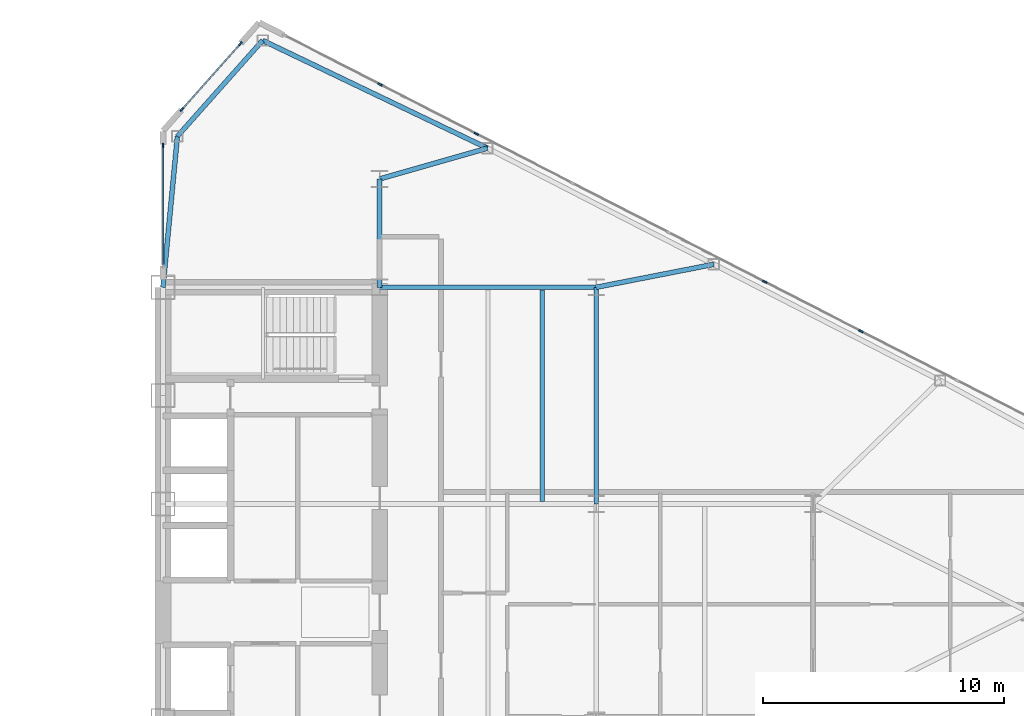
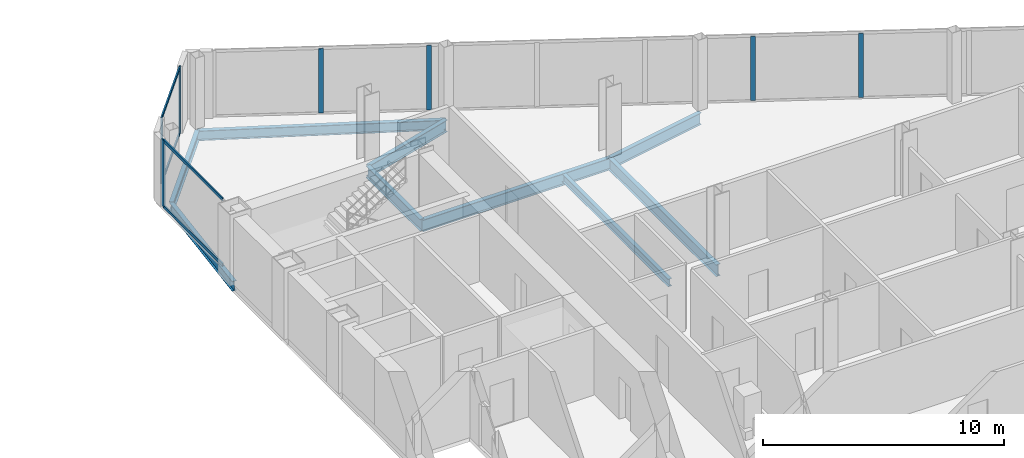
# One storey, part 11 of 23: 11 members, 9 beams, 3 elements without a shape of their own.
"""IFC4 building model written with IfcOpenShell, lengths in metres."""

from ifc_helpers import new_model, si_unit, direction, frame, origin, origin_2d, place, context, subcontext, project, spatial, rectangle, i_section, extrude, source, transform, mapped, material, layer, layer_set, material_profile, profile_set, type_object, type_shapes, element, aggregate, save


model = new_model("IFC4")

# Units and contexts
model_context = context("Model", 3, precision=1e-05, world=origin(), true_north=direction((0.0, 1.0)))
body_context = subcontext(model_context, "Body", "Model", "MODEL_VIEW")
ifc_project = project(units=[si_unit("LENGTHUNIT", "METRE"), si_unit("AREAUNIT", "SQUARE_METRE"), si_unit("VOLUMEUNIT", "CUBIC_METRE"), si_unit("PLANEANGLEUNIT", "RADIAN"), si_unit("MASSUNIT", "GRAM", prefix="KILO")], contexts=[model_context])

# Site, building, storey
site_placement = place(None, origin())
site = spatial("IfcSite", under=ifc_project, at=site_placement, CompositionType="ELEMENT")
building_placement = place(site_placement, origin())
building = spatial("IfcBuilding", under=site, at=building_placement, Name="Seokmaru Belvedere", CompositionType="ELEMENT")
storey_placement = place(building_placement, frame((0.0, 0.0, 128.39990234375)))
storey = spatial("IfcBuildingStorey", under=building, at=storey_placement, Name="L34", CompositionType="ELEMENT", Elevation=128.39990234375)

# Beams
ifc_material_1 = material(Name="Steel SM355 (355 MPa)", Category="steel")
ifc_material_profile_1 = material_profile(ifc_material_1, i_section(OverallWidth=0.199951171875, OverallDepth=0.60009765625, WebThickness=0.010986328125, FlangeThickness=0.01708984375, at=origin_2d()), Name="H-600x200x11x17")
ifc_profile_set_1 = profile_set([ifc_material_profile_1], Name="Steel SM355 (355 MPa)")
beam_type_1 = type_object("IfcBeamType", Name="Primary Floor Girder H-600", PredefinedType="BEAM", material=ifc_profile_set_1)
shared_shape_1 = source(origin(), body_context, "Body", "SweptSolid", [
    extrude(i_section(OverallWidth=0.199951171875, OverallDepth=0.60009765625, WebThickness=0.010986328125, FlangeThickness=0.01708984375, at=origin_2d()), origin(), (0.0, 0.0, 1.0), 9.0),
])
for number, where, z_axis, x_axis, name in (
    (1, (45.5, 4.5, -0.52001953125), (0.0, 1.0, 0.0), (-1.0, 0.0, 0.0), "L34 E Interior Grid Girder 3"),
    (2, (36.5, 13.5, -0.52001953125), (1.0, 0.0, 0.0), (0.0, 1.0, 0.0), "L34 E Wing Primary Girder 4"),
):
    element("IfcBeam", number, at=place(storey_placement, frame(where, z_axis=z_axis, x_axis=x_axis)), inside=storey, type_object=beam_type_1, Name=name, PredefinedType="BEAM", context=body_context, shape_type="MappedRepresentation", body=[
        mapped(shared_shape_1, transform((0.0, 0.0, 0.0), scale=1.0)),
    ])
ifc_material_profile_2 = material_profile(ifc_material_1, i_section(OverallWidth=0.18505859375, OverallDepth=0.389892578125, WebThickness=0.008056640625, FlangeThickness=0.011962890625, at=origin_2d()), Name="H-390x185x8x12")
ifc_profile_set_2 = profile_set([ifc_material_profile_2], Name="Steel SM355 (355 MPa)")
beam_type_2 = type_object("IfcBeamType", Name="Secondary Floor Joist H-350", PredefinedType="JOIST", material=ifc_profile_set_2)
shared_shape_2 = source(origin(), body_context, "Body", "SweptSolid", [
    extrude(i_section(OverallWidth=0.18505859375, OverallDepth=0.389892578125, WebThickness=0.008056640625, FlangeThickness=0.011962890625, at=origin_2d()), origin(), (0.0, 0.0, 1.0), 8.7900390625),
])
type_shapes(beam_type_2, [shared_shape_2])
beam_1_placement = place(storey_placement, frame((43.25, 4.60498046875, -0.414794921875), z_axis=(0.0, 1.0, 0.0), x_axis=(-1.0, 0.0, 0.0)))
element("IfcBeam", 3, at=beam_1_placement, inside=storey, type_object=beam_type_2, Name="L34 E Wing Inner Secondary Joist 2", PredefinedType="JOIST", context=body_context, shape_type="MappedRepresentation", body=[
    mapped(shared_shape_2, transform((0.0, 0.0, 0.0), scale=1.0)),
])
shared_shape_3 = source(origin(), body_context, "Body", "SweptSolid", [
    extrude(i_section(OverallWidth=0.199951171875, OverallDepth=0.60009765625, WebThickness=0.010986328125, FlangeThickness=0.01708984375, at=origin_2d()), origin(), (0.0, 0.0, 1.0), 4.5),
])
beam_2_placement = place(storey_placement, frame((36.5, 13.5, -0.52001953125), z_axis=(0.0, 1.0, 0.0), x_axis=(-1.0, 0.0, 0.0)))
element("IfcBeam", 4, at=beam_2_placement, inside=storey, type_object=beam_type_1, Name="L34 E Core Shoulder Girder N", PredefinedType="BEAM", context=body_context, shape_type="MappedRepresentation", body=[
    mapped(shared_shape_3, transform((0.0, 0.0, 0.0), scale=1.0)),
])
ifc_material_profile_3 = material_profile(ifc_material_1, i_section(OverallWidth=0.199951171875, OverallDepth=0.5, WebThickness=0.010009765625, FlangeThickness=0.01611328125, at=origin_2d()), Name="H-500x200x10x16")
ifc_profile_set_3 = profile_set([ifc_material_profile_3], Name="Steel SM355 (355 MPa)")
beam_type_3 = type_object("IfcBeamType", Name="Perimeter Spandrel Beam H-500", PredefinedType="SPANDREL", material=ifc_profile_set_3)
shared_shape_4 = source(origin(), body_context, "Body", "SweptSolid", [
    extrude(i_section(OverallWidth=0.199951171875, OverallDepth=0.5, WebThickness=0.010009765625, FlangeThickness=0.01611328125, at=origin_2d()), origin(), (0.0, 0.0, 1.0), 10.353759765625),
])
beam_3_placement = place(storey_placement, frame((31.6396484375, 23.75390625, -0.469970703125), z_axis=(0.901713202822, -0.432334708134, 0.0), x_axis=(0.432334708134, 0.901713202822, 0.0)))
element("IfcBeam", 5, at=beam_3_placement, inside=storey, type_object=beam_type_3, Name="L34 E Faceted Flank Spandrel N-1", PredefinedType="SPANDREL", context=body_context, shape_type="MappedRepresentation", body=[
    mapped(shared_shape_4, transform((0.0, 0.0, 0.0), scale=1.0)),
])
shared_shape_5 = source(origin(), body_context, "Body", "SweptSolid", [
    extrude(i_section(OverallWidth=0.199951171875, OverallDepth=0.5, WebThickness=0.010009765625, FlangeThickness=0.01611328125, at=origin_2d()), origin(), (0.0, 0.0, 1.0), 5.32763671875),
])
beam_4_placement = place(storey_placement, frame((31.6396484375, 23.75390625, -0.469970703125), z_axis=(-0.66436952742, -0.74740426212, 0.0), x_axis=(0.74740426212, -0.66436952742, 0.0)))
element("IfcBeam", 6, at=beam_4_placement, inside=storey, type_object=beam_type_3, Name="L34 E Shoulder Chamfer Spandrel N", PredefinedType="SPANDREL", context=body_context, shape_type="MappedRepresentation", body=[
    mapped(shared_shape_5, transform((0.0, 0.0, 0.0), scale=1.0)),
])
shared_shape_6 = source(origin(), body_context, "Body", "SweptSolid", [
    extrude(i_section(OverallWidth=0.199951171875, OverallDepth=0.5, WebThickness=0.010009765625, FlangeThickness=0.01611328125, at=origin_2d()), origin(), (0.0, 0.0, 1.0), 6.300537109375),
])
type_shapes(beam_type_3, [shared_shape_4, shared_shape_5, shared_shape_6])
beam_5_placement = place(storey_placement, frame((28.10009765625, 19.77197265625, -0.469970703125), z_axis=(-0.095244287992, -0.995453929424, 0.0), x_axis=(0.995453929424, -0.095244287992, 0.0)))
element("IfcBeam", 7, at=beam_5_placement, inside=storey, type_object=beam_type_3, Name="L34 E Shoulder Spine Spandrel N", PredefinedType="SPANDREL", context=body_context, shape_type="MappedRepresentation", body=[
    mapped(shared_shape_6, transform((0.0, 0.0, 0.0), scale=1.0)),
])
shared_shape_7 = source(origin(), body_context, "Body", "SweptSolid", [
    extrude(i_section(OverallWidth=0.199951171875, OverallDepth=0.60009765625, WebThickness=0.010986328125, FlangeThickness=0.01708984375, at=origin_2d()), origin(), (0.0, 0.0, 1.0), 4.654541015625),
])
beam_6_placement = place(storey_placement, frame((40.975830078125, 19.277587890625, -0.52001953125), z_axis=(-0.961593192625, -0.274478654721, 0.0), x_axis=(0.274478654721, -0.961593192625, 0.0)))
element("IfcBeam", 8, at=beam_6_placement, inside=storey, type_object=beam_type_1, Name="L34 E Flank Radial Floor Girder N-1", PredefinedType="BEAM", context=body_context, shape_type="MappedRepresentation", body=[
    mapped(shared_shape_7, transform((0.0, 0.0, 0.0), scale=1.0)),
])
shared_shape_8 = source(origin(), body_context, "Body", "SweptSolid", [
    extrude(i_section(OverallWidth=0.199951171875, OverallDepth=0.60009765625, WebThickness=0.010986328125, FlangeThickness=0.01708984375, at=origin_2d()), origin(), (0.0, 0.0, 1.0), 4.969482421875),
])
type_shapes(beam_type_1, [shared_shape_1, shared_shape_3, shared_shape_7, shared_shape_8])
beam_7_placement = place(storey_placement, frame((50.377197265625, 14.453369140625, -0.52001953125), z_axis=(-0.98142544456, -0.19184393858, 0.0), x_axis=(0.19184393858, -0.98142544456, 0.0)))
element("IfcBeam", 9, at=beam_7_placement, inside=storey, type_object=beam_type_1, Name="L34 E Flank Radial Floor Girder N-2", PredefinedType="BEAM", context=body_context, shape_type="MappedRepresentation", body=[
    mapped(shared_shape_8, transform((0.0, 0.0, 0.0), scale=1.0)),
])

# Curtain wall, members
ifc_material_2 = material(Name="Bronze Triple Insulating Glass", Category="glass")
ifc_layer = layer(ifc_material_2, 0.195068359375)
ifc_layer_set = layer_set([ifc_layer], Name="Bronze Triple Insulating Glass")
curtain_wall_type = type_object("IfcCurtainWallType", Name="Sky-Lobby and Mid-Rise Curtain Wall System CW-4", PredefinedType="NOTDEFINED", material=ifc_layer_set)
curtain_wall_1_placement = place(storey_placement, origin())
curtain_wall_1 = element("IfcCurtainWall", 10, at=curtain_wall_1_placement, inside=storey, type_object=curtain_wall_type, Name="L34 Curtain Wall EF4", PredefinedType="NOTDEFINED")
ifc_material_3 = material(Name="Anodised Bronze Aluminium", Category="aluminium")
ifc_material_profile_4 = material_profile(ifc_material_3, rectangle(XDim=0.070068359375, YDim=0.195068359375, at=origin_2d()), Name="CW-M-70x195")
ifc_profile_set_4 = profile_set([ifc_material_profile_4], Name="Anodised Bronze Aluminium")
member_type_1 = type_object("IfcMemberType", Name="Bronze Unitised Mullion 70x195", PredefinedType="MULLION", material=ifc_profile_set_4)
shared_shape_9 = source(origin(), body_context, "Body", "SweptSolid", [
    extrude(rectangle(XDim=0.070068359375, YDim=0.195068359375, at=origin_2d()), origin(), (0.0, 0.0, 1.0), 3.380126953125),
])
member_1_placement = place(storey_placement, frame((30.712646484375, 23.6142578125, 0.0), z_axis=(0.0, 0.0, 1.0), x_axis=(0.747409774804, -0.664363325694, 0.0)))
member_1 = element("IfcMember", 11, at=member_1_placement, type_object=member_type_1, Name="CW:L34:EF4 Mullion 1", PredefinedType="MULLION", context=body_context, shape_type="MappedRepresentation", body=[
    mapped(shared_shape_9, transform((0.0, 0.0, 0.0), scale=1.0)),
])
member_2_placement = place(storey_placement, frame((28.287353515625, 20.8857421875, 0.0), z_axis=(0.0, 0.0, 1.0), x_axis=(0.747409774804, -0.664363325694, 0.0)))
member_2 = element("IfcMember", 12, at=member_2_placement, type_object=member_type_1, Name="CW:L34:EF4 Mullion 2", PredefinedType="MULLION", context=body_context, shape_type="MappedRepresentation", body=[
    mapped(shared_shape_9, transform((0.0, 0.0, 0.0), scale=1.0)),
])

curtain_wall_2_placement = place(storey_placement, origin())
curtain_wall_2 = element("IfcCurtainWall", 13, at=curtain_wall_2_placement, inside=storey, type_object=curtain_wall_type, Name="L34 Curtain Wall ESP_2", PredefinedType="NOTDEFINED")
member_3_placement = place(storey_placement, frame((27.5, 19.39501953125, 0.0), z_axis=(0.0, 0.0, 1.0), x_axis=(1.0, 0.0, 0.0)))
member_3 = element("IfcMember", 14, at=member_3_placement, type_object=member_type_1, Name="CW:L34:ESP_2 Mullion 1", PredefinedType="MULLION", context=body_context, shape_type="MappedRepresentation", body=[
    mapped(shared_shape_9, transform((0.0, 0.0, 0.0), scale=1.0)),
])
ifc_material_profile_5 = material_profile(ifc_material_3, rectangle(XDim=0.06494140625, YDim=0.14990234375, at=origin_2d()), Name="CW-T-65x150")
ifc_profile_set_5 = profile_set([ifc_material_profile_5], Name="Anodised Bronze Aluminium")
member_type_2 = type_object("IfcMemberType", Name="Bronze Unitised Transom 65x150", PredefinedType="USERDEFINED", material=ifc_profile_set_5)
shared_shape_10 = source(origin(), body_context, "Body", "SweptSolid", [
    extrude(rectangle(XDim=0.06494140625, YDim=0.14990234375, at=origin_2d()), origin(), (0.0, 0.0, 1.0), 4.91015625),
])
member_4_placement = place(storey_placement, frame((27.5, 19.360107421875, 0.03271484375), z_axis=(0.0, -1.0, 0.0), x_axis=(1.0, 0.0, 0.0)))
member_4 = element("IfcMember", 15, at=member_4_placement, type_object=member_type_2, Name="CW:L34:ESP_2 Continuous Transom 1", ObjectType="TRANSOM", PredefinedType="USERDEFINED", context=body_context, shape_type="MappedRepresentation", body=[
    mapped(shared_shape_10, transform((0.0, 0.0, 0.0), scale=1.0)),
])
member_5_placement = place(storey_placement, frame((27.5, 19.360107421875, 3.34765625), z_axis=(0.0, -1.0, 0.0), x_axis=(1.0, 0.0, 0.0)))
member_5 = element("IfcMember", 16, at=member_5_placement, type_object=member_type_2, Name="CW:L34:ESP_2 Continuous Transom 2", ObjectType="TRANSOM", PredefinedType="USERDEFINED", context=body_context, shape_type="MappedRepresentation", body=[
    mapped(shared_shape_10, transform((0.0, 0.0, 0.0), scale=1.0)),
])
aggregate(curtain_wall_2, [member_3, member_4, member_5])

# Member
shared_shape_11 = source(origin(), body_context, "Body", "SweptSolid", [
    extrude(rectangle(XDim=0.06494140625, YDim=0.14990234375, at=origin_2d()), origin(), (0.0, 0.0, 1.0), 3.580810546875),
])
type_shapes(member_type_2, [shared_shape_10, shared_shape_11])
member_6_placement = place(storey_placement, frame((30.689453125, 23.588134765625, 0.03271484375), z_axis=(-0.66436383883, -0.747409318684, 0.0), x_axis=(0.747409318684, -0.66436383883, 0.0)))
member_6 = element("IfcMember", 17, at=member_6_placement, type_object=member_type_2, Name="CW:L34:EF4 Continuous Transom 1", ObjectType="TRANSOM", PredefinedType="USERDEFINED", context=body_context, shape_type="MappedRepresentation", body=[
    mapped(shared_shape_11, transform((0.0, 0.0, 0.0), scale=1.0)),
])

member_7_placement = place(storey_placement, frame((30.689453125, 23.588134765625, 3.34765625), z_axis=(-0.66436383883, -0.747409318684, 0.0), x_axis=(0.747409318684, -0.66436383883, 0.0)))
member_7 = element("IfcMember", 18, at=member_7_placement, type_object=member_type_2, Name="CW:L34:EF4 Continuous Transom 2", ObjectType="TRANSOM", PredefinedType="USERDEFINED", context=body_context, shape_type="MappedRepresentation", body=[
    mapped(shared_shape_11, transform((0.0, 0.0, 0.0), scale=1.0)),
])

aggregate(curtain_wall_1, [member_1, member_2, member_6, member_7])

# Curtain wall, members
curtain_wall_3_placement = place(storey_placement, origin())
curtain_wall_3 = element("IfcCurtainWall", 19, at=curtain_wall_3_placement, inside=storey, type_object=curtain_wall_type, Name="L34 Curtain Wall EF3", PredefinedType="NOTDEFINED")
shared_shape_12 = source(origin(), body_context, "Body", "SweptSolid", [
    extrude(rectangle(XDim=0.070068359375, YDim=0.195068359375, at=origin_2d()), origin(), (0.0, 0.0, 1.0), 3.25),
])
type_shapes(member_type_1, [shared_shape_9, shared_shape_12])
member_8_placement = place(storey_placement, frame((56.4921875, 11.675048828125, 0.065185546875), z_axis=(0.0, 0.0, 1.0), x_axis=(-0.456554528263, -0.889695432562, 0.0)))
member_8 = element("IfcMember", 20, at=member_8_placement, type_object=member_type_1, Name="CW:L34:EF3 Mullion 4", PredefinedType="MULLION", context=body_context, shape_type="MappedRepresentation", body=[
    mapped(shared_shape_12, transform((0.0, 0.0, 0.0), scale=1.0)),
])
member_9_placement = place(storey_placement, frame((52.497314453125, 13.72509765625, 0.065185546875), z_axis=(0.0, 0.0, 1.0), x_axis=(-0.456554528263, -0.889695432562, 0.0)))
member_9 = element("IfcMember", 21, at=member_9_placement, type_object=member_type_1, Name="CW:L34:EF3 Mullion 5", PredefinedType="MULLION", context=body_context, shape_type="MappedRepresentation", body=[
    mapped(shared_shape_12, transform((0.0, 0.0, 0.0), scale=1.0)),
])
member_10_placement = place(storey_placement, frame((40.5126953125, 19.875, 0.065185546875), z_axis=(0.0, 0.0, 1.0), x_axis=(-0.456554528263, -0.889695432562, 0.0)))
member_10 = element("IfcMember", 22, at=member_10_placement, type_object=member_type_1, Name="CW:L34:EF3 Mullion 8", PredefinedType="MULLION", context=body_context, shape_type="MappedRepresentation", body=[
    mapped(shared_shape_12, transform((0.0, 0.0, 0.0), scale=1.0)),
])
member_11_placement = place(storey_placement, frame((36.51806640625, 21.925048828125, 0.065185546875), z_axis=(0.0, 0.0, 1.0), x_axis=(-0.456554528263, -0.889695432562, 0.0)))
member_11 = element("IfcMember", 23, at=member_11_placement, type_object=member_type_1, Name="CW:L34:EF3 Mullion 9", PredefinedType="MULLION", context=body_context, shape_type="MappedRepresentation", body=[
    mapped(shared_shape_12, transform((0.0, 0.0, 0.0), scale=1.0)),
])
aggregate(curtain_wall_3, [member_8, member_9, member_10, member_11])

save(model, "model.ifc")
